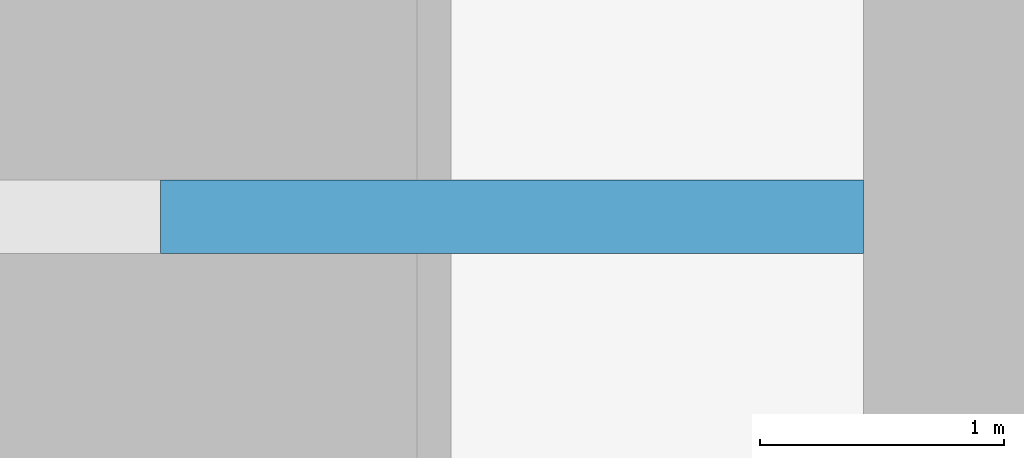
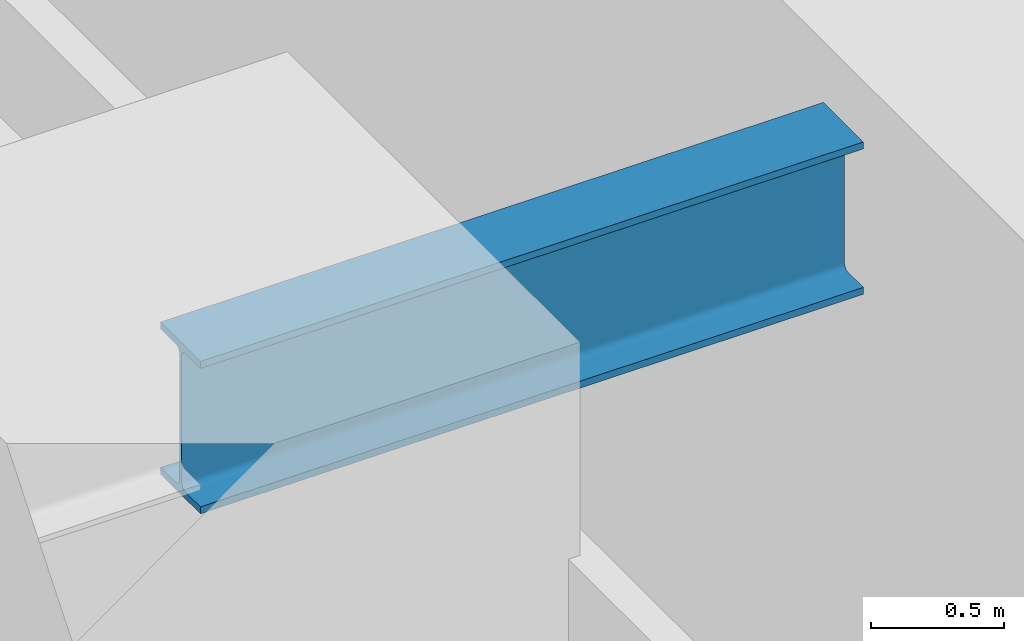
# One storey, part 7 of 30: 1 beam.
"""IFC4 building model written with IfcOpenShell, lengths in metres."""

from ifc_helpers import new_model, si_unit, direction, frame, origin, origin_2d, place, context, subcontext, project, spatial, i_section, extrude, source, transform, mapped, material, material_profile, profile_set, type_object, type_shapes, element, save


model = new_model("IFC4")

# Units and contexts
model_context = context("Model", 3, precision=1e-05, world=origin(), true_north=direction((0.0, 1.0)))
body_context = subcontext(model_context, "Body", "Model", "MODEL_VIEW")
ifc_project = project(units=[si_unit("LENGTHUNIT", "METRE"), si_unit("AREAUNIT", "SQUARE_METRE"), si_unit("VOLUMEUNIT", "CUBIC_METRE"), si_unit("PLANEANGLEUNIT", "RADIAN"), si_unit("MASSUNIT", "GRAM", prefix="KILO")], contexts=[model_context])

# Site, building, storey
site_placement = place(None, origin())
site = spatial("IfcSite", under=ifc_project, at=site_placement, CompositionType="ELEMENT")
building_placement = place(site_placement, origin())
building = spatial("IfcBuilding", under=site, at=building_placement, Name="Krantzveldt Concourse Tower", CompositionType="ELEMENT")
storey_placement = place(building_placement, frame((0.0, 0.0, 40.800048828125)))
storey = spatial("IfcBuildingStorey", under=building, at=storey_placement, Name="L09", CompositionType="ELEMENT", Elevation=40.800048828125)

# Beam
ifc_material = material(Name="Steel S355J2", Category="steel")
ifc_material_profile = material_profile(ifc_material, i_section(OverallWidth=0.300048828125, OverallDepth=0.699951171875, WebThickness=0.01708984375, FlangeThickness=0.031982421875, FilletRadius=0.027099609375, at=origin_2d()), Name="Steel S355J2", Category="steel")
ifc_profile_set = profile_set([ifc_material_profile], Name="Steel S355J2 - HEB 700")
beam_type = type_object("IfcBeamType", Name="BM-B-HEB700", PredefinedType="BEAM", material=ifc_profile_set)
shared_shape = source(origin(), body_context, "Body", "SweptSolid", [
    extrude(i_section(OverallWidth=0.300048828125, OverallDepth=0.699951171875, WebThickness=0.01708984375, FlangeThickness=0.031982421875, FilletRadius=0.027099609375, at=origin_2d()), origin(), (0.0, 0.0, 1.0), 2.880126953125),
])
type_shapes(beam_type, [shared_shape])
beam_placement = place(storey_placement, frame((25.199951171875, 15.89990234375, 3.320068359375), z_axis=(1.0, 0.0, 0.0), x_axis=(0.0, 1.0, 0.0)))
element("IfcBeam", 1, at=beam_placement, inside=storey, type_object=beam_type, Name="L09 Tower Girder BG-CW1", PredefinedType="BEAM", context=body_context, shape_type="MappedRepresentation", body=[
    mapped(shared_shape, transform((0.0, 0.0, 0.0), x_axis=(1.0, 0.0, 0.0), y_axis=(0.0, 1.0, 0.0), z_axis=(0.0, 0.0, 1.0), scale=1.0)),
])

save(model, "model.ifc")
